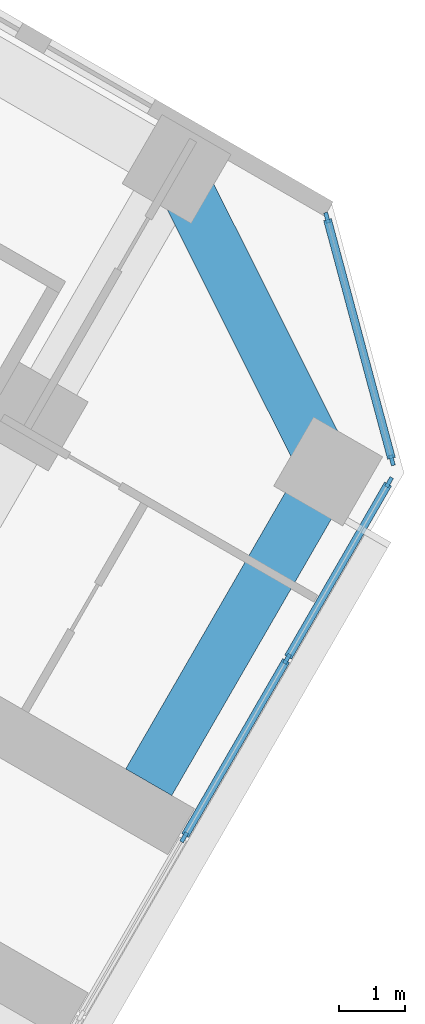
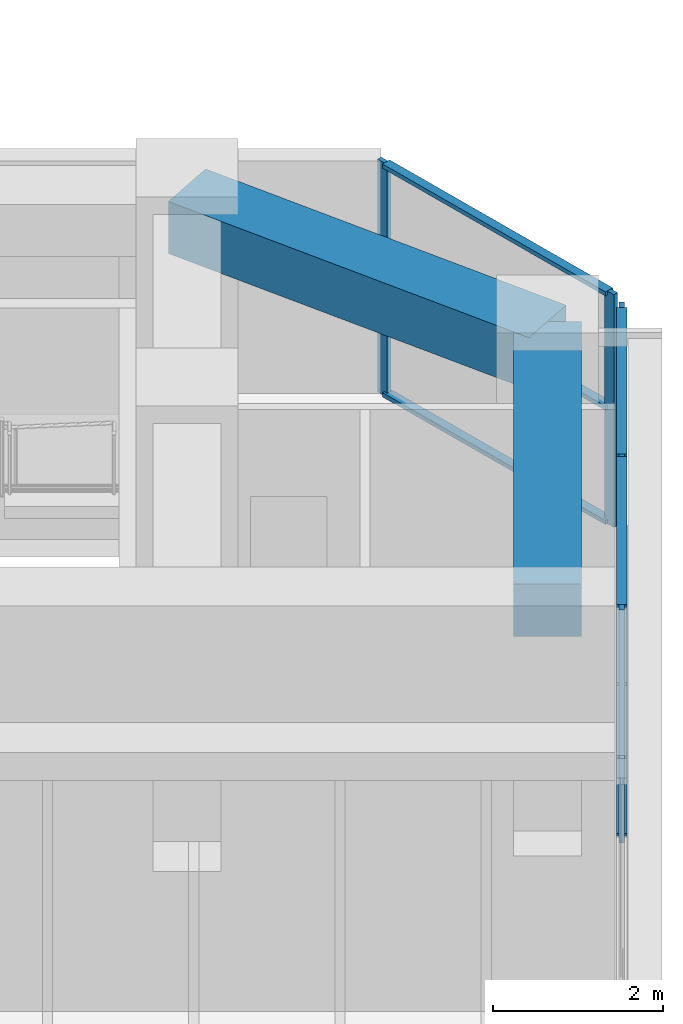
# One storey, part 8 of 20: 12 members, 2 beams, 2 elements without a shape of their own.
"""IFC4 building model written with IfcOpenShell, lengths in metres."""

import ifcopenshell
import ifcopenshell.guid

model = None  # the IFC model being written
_history = None  # IfcOwnerHistory: only IFC2X3 demands one
_inside = {}  # id of a spatial element -> (the spatial element, [elements in it])
_under = {}  # id of a project, library or spatial element -> (it, [spatial elements below it])
_declared = {}  # id of a project -> (the project, [libraries it declares])
_typed = {}  # id of a type object -> (the type object, [elements of that type])
_made_of = {}  # id of a material, layer set ... -> (it, [elements and type objects made of it])


def new_model(schema):
    """Start an empty IFC model of exactly this schema.

    Asked for "IFC4X3", IfcOpenShell would pick the latest addendum, in which some entities
    have other attributes; the version numbers below select the first issue.
    IFC2X3 requires an IfcOwnerHistory on every rooted entity: one is made here for all.
    """
    global model, _history
    if schema == "IFC4X3":
        model = ifcopenshell.file(schema_version=(4, 3, 0, 0))
    else:
        model = ifcopenshell.file(schema=schema)
    _inside.clear()
    _under.clear()
    _declared.clear()
    _typed.clear()
    _made_of.clear()
    _history = None
    if model.schema == "IFC2X3":
        org = make("IfcOrganization", Name="unknown")
        user = make(
            "IfcPersonAndOrganization",
            ThePerson=make("IfcPerson", FamilyName="unknown"),
            TheOrganization=org,
        )
        app = make(
            "IfcApplication",
            ApplicationDeveloper=org,
            Version="unknown",
            ApplicationFullName="unknown",
            ApplicationIdentifier="unknown",
        )
        _history = make(
            "IfcOwnerHistory",
            OwningUser=user,
            OwningApplication=app,
            ChangeAction="ADDED",
            CreationDate=0,
        )
    return model


def make(cls, **values):
    """One entity of the class cls with the attributes given. An attribute that is None is left unset."""
    return model.create_entity(
        cls, **{name: value for name, value in values.items() if value is not None}
    )


def rooted(cls, **values):
    """An entity with a GlobalId (a new one), such as an element, a storey or a relation."""
    return make(cls, GlobalId=ifcopenshell.guid.new(), OwnerHistory=_history, **values)


def si_unit(unit_type, name, prefix=None):
    """IfcSIUnit, for example si_unit("LENGTHUNIT", "METRE", prefix="MILLI")."""
    return make("IfcSIUnit", UnitType=unit_type, Prefix=prefix, Name=name)


def assignment(units):
    """IfcUnitAssignment: the units of a project."""
    return None if units is None else make("IfcUnitAssignment", Units=units)


def point(xyz):
    """IfcCartesianPoint."""
    return None if xyz is None else make("IfcCartesianPoint", Coordinates=xyz)


def direction(xyz):
    """IfcDirection."""
    return None if xyz is None else make("IfcDirection", DirectionRatios=xyz)


def frame(location, z_axis=None, x_axis=None):
    """IfcAxis2Placement3D, a coordinate frame: its origin and axes. An axis left out is left unset."""
    return make(
        "IfcAxis2Placement3D",
        Location=point(location),
        Axis=direction(z_axis),
        RefDirection=direction(x_axis),
    )


def frame_2d(location, x_axis=None):
    """IfcAxis2Placement2D, a coordinate frame in the plane: its origin and x axis."""
    return make(
        "IfcAxis2Placement2D", Location=point(location), RefDirection=direction(x_axis)
    )


def origin():
    """The frame at (0, 0, 0) with its axes left unset."""
    return frame((0.0, 0.0, 0.0))


def origin_2d():
    """The frame at (0, 0) in the plane with its x axis left unset."""
    return frame_2d((0.0, 0.0))


def place(relative_to, where):
    """IfcLocalPlacement: puts the frame where relative to a parent placement (None: the world)."""
    return make(
        "IfcLocalPlacement", PlacementRelTo=relative_to, RelativePlacement=where
    )


def context(
    kind, dimensions, precision=None, world=None, true_north=None, identifier=None
):
    """IfcGeometricRepresentationContext, for example the 3D "Model" context."""
    return make(
        "IfcGeometricRepresentationContext",
        ContextIdentifier=identifier,
        ContextType=kind,
        CoordinateSpaceDimension=dimensions,
        Precision=precision,
        WorldCoordinateSystem=world,
        TrueNorth=true_north,
    )


def subcontext(parent, identifier, kind, view, scale=None):
    """IfcGeometricRepresentationSubContext, for example "Body" below "Model"."""
    return make(
        "IfcGeometricRepresentationSubContext",
        ContextIdentifier=identifier,
        ContextType=kind,
        ParentContext=parent,
        TargetScale=scale,
        TargetView=view,
    )


def project(units=None, contexts=None):
    """IfcProject with its units and contexts."""
    return rooted(
        "IfcProject",
        Name="project",
        RepresentationContexts=contexts,
        UnitsInContext=assignment(units),
    )


def spatial(cls, under=None, at=None, **own):
    """A site, building, storey or space (cls), placed at a placement, below another one or the project."""
    s = rooted(cls, ObjectPlacement=at, **own)
    if under is not None:
        _under.setdefault(under.id(), (under, []))[1].append(s)
    return s


def profile(cls, at=None, kind="AREA", **sizes):
    """A parametric profile (cls). Its sizes go by their IFC names, for example OverallWidth=200.0."""
    return make(cls, ProfileType=kind, Position=at, **sizes)


def rectangle(**sizes):
    """IfcRectangleProfileDef."""
    return profile("IfcRectangleProfileDef", **sizes)


def extrude(swept, where, along, depth):
    """IfcExtrudedAreaSolid: the profile swept, set in the frame where, extruded along a direction by depth."""
    return make(
        "IfcExtrudedAreaSolid",
        SweptArea=swept,
        Position=where,
        ExtrudedDirection=direction(along),
        Depth=depth,
    )


def shape(context_of_items, identifier, shape_type, items):
    """IfcShapeRepresentation: the items that make up one representation, for example the "Body"."""
    return make(
        "IfcShapeRepresentation",
        ContextOfItems=context_of_items,
        RepresentationIdentifier=identifier,
        RepresentationType=shape_type,
        Items=items,
    )


def material(Name=None, Category=None):
    """IfcMaterial."""
    return make("IfcMaterial", Name=Name, Category=Category)


def material_profile(
    of_material, cross_section, Name=None, Category=None, Priority=None
):
    """IfcMaterialProfile: a cross section and its material."""
    return make(
        "IfcMaterialProfile",
        Name=Name,
        Material=of_material,
        Profile=cross_section,
        Priority=Priority,
        Category=Category,
    )


def profile_set(profiles, Name=None, composite=None):
    """IfcMaterialProfileSet."""
    return make(
        "IfcMaterialProfileSet",
        Name=Name,
        MaterialProfiles=profiles,
        CompositeProfile=composite,
    )


def made_of(thing, what):
    """Note that an element or type object is made of a material, layer set ...; save() writes the relation."""
    if what is not None:
        _made_of.setdefault(what.id(), (what, []))[1].append(thing)
    return thing


def type_object(cls, material=None, **own):
    """A type object (cls), such as IfcWallType, which elements share."""
    return made_of(rooted(cls, **own), material)


def element(
    cls,
    number,
    at=None,
    inside=None,
    cuts=None,
    type_object=None,
    material=None,
    context=None,
    identifier="Body",
    shape_type=None,
    held_by="IfcProductDefinitionShape",
    body=None,
    shapes=None,
    **own,
):
    """One element of the class cls, such as IfcWall. Its Tag is "e" and its number.

    at: its placement. inside: the storey or other place that contains it. cuts: it is an
    opening in that element (IfcRelVoidsElement). A single representation is given by context,
    identifier, shape_type and body (its items); several are given by shapes. held_by: the class
    of the entity that holds the representations. save() writes the other relations.
    """
    e = rooted(cls, Tag="e%d" % number, ObjectPlacement=at, **own)
    if body is not None:
        shapes = [shape(context, identifier, shape_type, body)]
    if shapes is not None:
        e.Representation = make(held_by, Representations=shapes)
    if inside is not None:
        _inside.setdefault(inside.id(), (inside, []))[1].append(e)
    if cuts is not None:
        rooted(
            "IfcRelVoidsElement", RelatingBuildingElement=cuts, RelatedOpeningElement=e
        )
    if type_object is not None:
        _typed.setdefault(type_object.id(), (type_object, []))[1].append(e)
    return made_of(e, material)


def aggregate(whole, parts):
    """IfcRelAggregates: a whole, such as a stair, and the parts it consists of."""
    return rooted("IfcRelAggregates", RelatingObject=whole, RelatedObjects=parts)


def save(model, path):
    """Write the relations noted so far, then the file.

    IfcRelAggregates (storeys below a building ...), IfcRelContainedInSpatialStructure (elements
    in a storey), IfcRelDefinesByType, IfcRelAssociatesMaterial and IfcRelDeclares: one each for
    every whole, place, type object, material and project.
    """
    for whole, parts in _under.values():
        aggregate(whole, parts)
    for where, things in _inside.values():
        rooted(
            "IfcRelContainedInSpatialStructure",
            RelatedElements=things,
            RelatingStructure=where,
        )
    for kind, things in _typed.values():
        rooted("IfcRelDefinesByType", RelatedObjects=things, RelatingType=kind)
    for what, things in _made_of.values():
        rooted("IfcRelAssociatesMaterial", RelatedObjects=things, RelatingMaterial=what)
    for by, libraries in _declared.values():
        rooted("IfcRelDeclares", RelatingContext=by, RelatedDefinitions=libraries)
    model.write(path)


model = new_model("IFC4")

# Units and contexts
model_context = context("Model", 3, precision=1e-05, world=origin(), true_north=direction((0.0, 1.0)))
body_context = subcontext(model_context, "Body", "Model", "MODEL_VIEW")
ifc_project = project(units=[si_unit("LENGTHUNIT", "METRE"), si_unit("AREAUNIT", "SQUARE_METRE"), si_unit("VOLUMEUNIT", "CUBIC_METRE"), si_unit("PLANEANGLEUNIT", "RADIAN"), si_unit("MASSUNIT", "GRAM", prefix="KILO")], contexts=[model_context])

# Site, building, storey
site_placement = place(None, origin())
site = spatial("IfcSite", under=ifc_project, at=site_placement, CompositionType="ELEMENT")
building_placement = place(site_placement, origin())
building = spatial("IfcBuilding", under=site, at=building_placement, Name="Kosmar Iwan School Tower", CompositionType="ELEMENT")
storey_placement = place(building_placement, frame((0.0, 0.0, 123.800048828125)))
storey = spatial("IfcBuildingStorey", under=building, at=storey_placement, Name="L30", CompositionType="ELEMENT", Elevation=123.800048828125)

# Curtain wall, members
ifc_material_1 = material(Name="Dark glass in black aluminium frame", Category="aluminium")
curtain_wall_type_1 = type_object("IfcCurtainWallType", Name="Tower curtain wall dark glass", PredefinedType="USERDEFINED", material=ifc_material_1)
curtain_wall_1_placement = place(storey_placement, origin())
curtain_wall_1 = element("IfcCurtainWall", 1, at=curtain_wall_1_placement, inside=storey, type_object=curtain_wall_type_1, Name="Curtain wall L30-F03", ObjectType="UNITISED CURTAIN WALL", PredefinedType="USERDEFINED")
ifc_material_2 = material(Name="Black anodised aluminium", Category="aluminium")
ifc_material_profile_1 = material_profile(ifc_material_2, rectangle(XDim=0.06005859375, YDim=0.159912109375, at=origin_2d()), Name="MULLION 60x160")
ifc_profile_set_1 = profile_set([ifc_material_profile_1], Name="Black anodised aluminium")
member_type_1 = type_object("IfcMemberType", Name="Mullion 60x160", PredefinedType="MULLION", material=ifc_profile_set_1)
member_1_placement = place(storey_placement, frame((30.631103515625, -15.8955078125, 0.0), z_axis=(0.0, 0.0, 1.0), x_axis=(-0.866025405329, 0.499999997325, 0.0)))
member_1 = element("IfcMember", 2, at=member_1_placement, type_object=member_type_1, Name="CW1 mullion 4", PredefinedType="MULLION", context=body_context, shape_type="SweptSolid", body=[
    extrude(rectangle(XDim=0.06005859375, YDim=0.159912109375, at=origin_2d()), origin(), (0.0, 0.0, 1.0), 3.349853515625),
])
member_2_placement = place(storey_placement, frame((32.1806640625, -13.21142578125, 0.0), z_axis=(0.0, 0.0, 1.0), x_axis=(-0.866025405329, 0.499999997325, 0.0)))
member_2 = element("IfcMember", 3, at=member_2_placement, type_object=member_type_1, Name="CW1 mullion 5", PredefinedType="MULLION", context=body_context, shape_type="SweptSolid", body=[
    extrude(rectangle(XDim=0.06005859375, YDim=0.159912109375, at=origin_2d()), origin(), (0.0, 0.0, 1.0), 3.349853515625),
])
member_3_placement = place(storey_placement, frame((33.71533203125, -10.55322265625, 0.0), z_axis=(0.0, 0.0, 1.0), x_axis=(-0.866025405329, 0.499999997325, 0.0)))
member_3 = element("IfcMember", 4, at=member_3_placement, type_object=member_type_1, Name="CW1 mullion 6", PredefinedType="MULLION", context=body_context, shape_type="SweptSolid", body=[
    extrude(rectangle(XDim=0.06005859375, YDim=0.159912109375, at=origin_2d()), origin(), (0.0, 0.0, 1.0), 3.349853515625),
])

ifc_material_3 = material(Name="Dark glass in black aluminium frame", Category="aluminium")
curtain_wall_type_2 = type_object("IfcCurtainWallType", Name="Chamfer curtain wall dark glass", PredefinedType="USERDEFINED", material=ifc_material_3)
curtain_wall_2_placement = place(storey_placement, origin())
curtain_wall_2 = element("IfcCurtainWall", 5, at=curtain_wall_2_placement, inside=storey, type_object=curtain_wall_type_2, Name="Curtain wall L30-F04", ObjectType="FACETED CURTAIN WALL", PredefinedType="USERDEFINED")
member_4_placement = place(storey_placement, frame((33.7587890625, -10.2236328125, 0.0), z_axis=(0.0, 0.0, 1.0), x_axis=(-0.965925875495, -0.258818861462, 0.0)))
member_4 = element("IfcMember", 6, at=member_4_placement, type_object=member_type_1, Name="CW2 mullion 1", PredefinedType="MULLION", context=body_context, shape_type="SweptSolid", body=[
    extrude(rectangle(XDim=0.06005859375, YDim=0.159912109375, at=origin_2d()), origin(), (0.0, 0.0, 1.0), 3.349853515625),
])
member_5_placement = place(storey_placement, frame((32.78076171875, -6.5732421875, 0.0), z_axis=(0.0, 0.0, 1.0), x_axis=(-0.965925875495, -0.258818861462, 0.0)))
member_5 = element("IfcMember", 7, at=member_5_placement, type_object=member_type_1, Name="CW2 mullion 2", PredefinedType="MULLION", context=body_context, shape_type="SweptSolid", body=[
    extrude(rectangle(XDim=0.06005859375, YDim=0.159912109375, at=origin_2d()), origin(), (0.0, 0.0, 1.0), 3.349853515625),
])

# Beams
ifc_material_4 = material(Name="Concrete C50/60", Category="concrete")
ifc_material_profile_2 = material_profile(ifc_material_4, rectangle(XDim=0.800048828125, YDim=0.75, at=origin_2d()), Name="RC 800x750")
ifc_profile_set_2 = profile_set([ifc_material_profile_2], Name="Concrete C50/60")
beam_type = type_object("IfcBeamType", Name="RC tip beam 800x750", PredefinedType="BEAM", material=ifc_profile_set_2)
beam_1_placement = place(storey_placement, frame((30.517822265625, -5.841552734375, 2.974853515625), z_axis=(0.44809604203, -0.893985423325, 0.0), x_axis=(0.893985423325, 0.44809604203, 0.0)))
element("IfcBeam", 8, at=beam_1_placement, inside=storey, type_object=beam_type, Name="Tip beam CL", PredefinedType="BEAM", context=body_context, shape_type="SweptSolid", body=[
    extrude(rectangle(XDim=0.800048828125, YDim=0.75, at=origin_2d()), origin(), (0.0, 0.0, 1.0), 5.08935546875),
])
beam_2_placement = place(storey_placement, frame((32.79833984375, -10.391357421875, 2.974853515625), z_axis=(-0.499995103361, -0.866028230842, 0.0), x_axis=(0.866028230842, -0.499995103361, 0.0)))
element("IfcBeam", 9, at=beam_2_placement, inside=storey, type_object=beam_type, Name="Tip beam CL to corridor wall", PredefinedType="BEAM", context=body_context, shape_type="SweptSolid", body=[
    extrude(rectangle(XDim=0.800048828125, YDim=0.75, at=origin_2d()), origin(), (0.0, 0.0, 1.0), 5.39990234375),
])

# Member
ifc_material_5 = material(Name="Black anodised aluminium", Category="aluminium")
ifc_material_profile_3 = material_profile(ifc_material_5, rectangle(XDim=0.1201171875, YDim=0.06005859375, at=origin_2d()), Name="TRANSOM 60x120")
ifc_profile_set_3 = profile_set([ifc_material_profile_3], Name="Black anodised aluminium")
member_type_2 = type_object("IfcMemberType", Name="Transom 60x120", PredefinedType="USERDEFINED", material=ifc_profile_set_3)
member_6_placement = place(storey_placement, frame((30.64599609375, -15.869384765625, 0.030029296875), z_axis=(0.500035348339, 0.866004994449, 0.0), x_axis=(-0.866004994449, 0.500035348339, 0.0)))
member_6 = element("IfcMember", 10, at=member_6_placement, type_object=member_type_2, Name="CW1 transom 4.1", ObjectType="TRANSOM", PredefinedType="USERDEFINED", context=body_context, shape_type="SweptSolid", body=[
    extrude(rectangle(XDim=0.1201171875, YDim=0.06005859375, at=origin_2d()), origin(), (0.0, 0.0, 1.0), 3.039306640625),
])

member_7_placement = place(storey_placement, frame((30.64599609375, -15.869384765625, 3.320068359375), z_axis=(0.500035348339, 0.866004994449, 0.0), x_axis=(-0.866004994449, 0.500035348339, 0.0)))
member_7 = element("IfcMember", 11, at=member_7_placement, type_object=member_type_2, Name="CW1 transom 4.2", ObjectType="TRANSOM", PredefinedType="USERDEFINED", context=body_context, shape_type="SweptSolid", body=[
    extrude(rectangle(XDim=0.1201171875, YDim=0.06005859375, at=origin_2d()), origin(), (0.0, 0.0, 1.0), 3.039306640625),
])

member_8_placement = place(storey_placement, frame((32.19580078125, -13.185302734375, 0.030029296875), z_axis=(0.500022102064, 0.866012642776, 0.0), x_axis=(-0.866012642776, 0.500022102064, 0.0)))
member_8 = element("IfcMember", 12, at=member_8_placement, type_object=member_type_2, Name="CW1 transom 5.1", ObjectType="TRANSOM", PredefinedType="USERDEFINED", context=body_context, shape_type="SweptSolid", body=[
    extrude(rectangle(XDim=0.1201171875, YDim=0.06005859375, at=origin_2d()), origin(), (0.0, 0.0, 1.0), 3.009033203125),
])

member_9_placement = place(storey_placement, frame((32.19580078125, -13.185302734375, 3.320068359375), z_axis=(0.500022102064, 0.866012642776, 0.0), x_axis=(-0.866012642776, 0.500022102064, 0.0)))
member_9 = element("IfcMember", 13, at=member_9_placement, type_object=member_type_2, Name="CW1 transom 5.2", ObjectType="TRANSOM", PredefinedType="USERDEFINED", context=body_context, shape_type="SweptSolid", body=[
    extrude(rectangle(XDim=0.1201171875, YDim=0.06005859375, at=origin_2d()), origin(), (0.0, 0.0, 1.0), 3.009033203125),
])

aggregate(curtain_wall_1, [member_1, member_2, member_3, member_6, member_7, member_8, member_9])

member_10_placement = place(storey_placement, frame((33.7509765625, -10.194580078125, 0.030029296875), z_axis=(-0.258843273983, 0.965919333854, 0.0), x_axis=(-0.965919333854, -0.258843273983, 0.0)))
member_10 = element("IfcMember", 14, at=member_10_placement, type_object=member_type_2, Name="CW2 transom 1.1", ObjectType="TRANSOM", PredefinedType="USERDEFINED", context=body_context, shape_type="SweptSolid", body=[
    extrude(rectangle(XDim=0.1201171875, YDim=0.06005859375, at=origin_2d()), origin(), (0.0, 0.0, 1.0), 3.718994140625),
])

member_11_placement = place(storey_placement, frame((33.7509765625, -10.194580078125, 1.675048828125), z_axis=(-0.258843273983, 0.965919333854, 0.0), x_axis=(-0.965919333854, -0.258843273983, 0.0)))
member_11 = element("IfcMember", 15, at=member_11_placement, type_object=member_type_2, Name="CW2 transom 1.2", ObjectType="TRANSOM", PredefinedType="USERDEFINED", context=body_context, shape_type="SweptSolid", body=[
    extrude(rectangle(XDim=0.1201171875, YDim=0.06005859375, at=origin_2d()), origin(), (0.0, 0.0, 1.0), 3.718994140625),
])

member_12_placement = place(storey_placement, frame((33.7509765625, -10.194580078125, 3.320068359375), z_axis=(-0.258843273983, 0.965919333854, 0.0), x_axis=(-0.965919333854, -0.258843273983, 0.0)))
member_12 = element("IfcMember", 16, at=member_12_placement, type_object=member_type_2, Name="CW2 transom 1.3", ObjectType="TRANSOM", PredefinedType="USERDEFINED", context=body_context, shape_type="SweptSolid", body=[
    extrude(rectangle(XDim=0.1201171875, YDim=0.06005859375, at=origin_2d()), origin(), (0.0, 0.0, 1.0), 3.718994140625),
])

aggregate(curtain_wall_2, [member_4, member_5, member_10, member_11, member_12])

save(model, "model.ifc")
